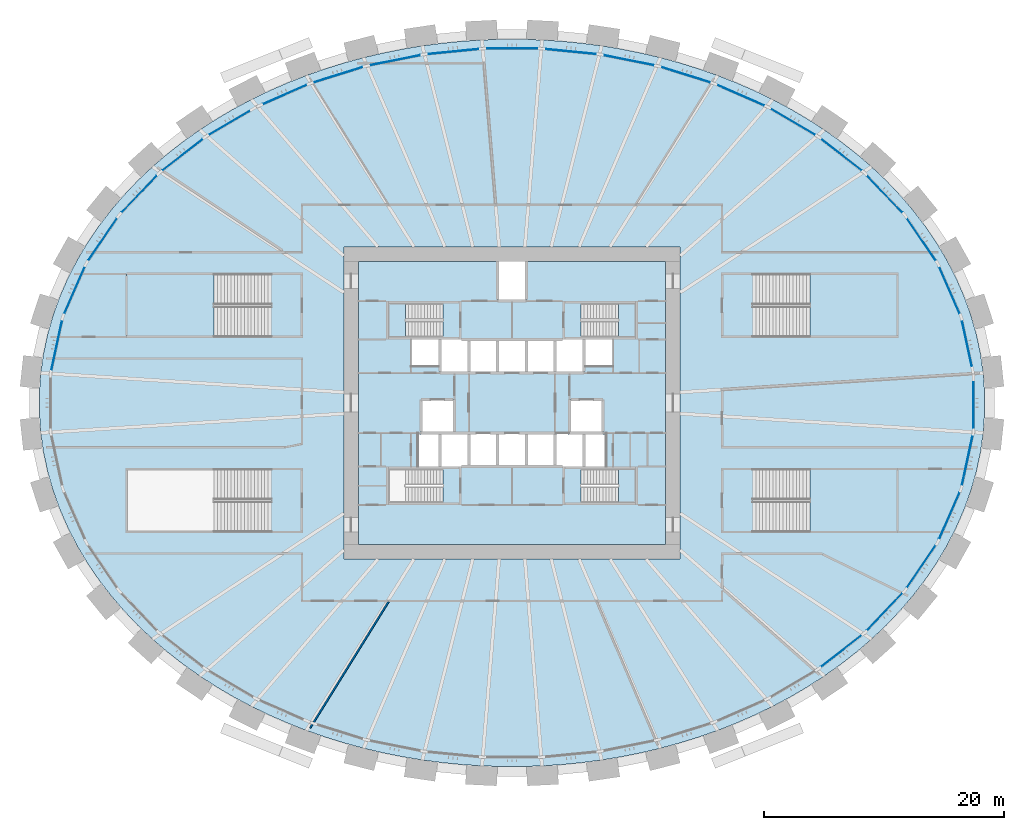
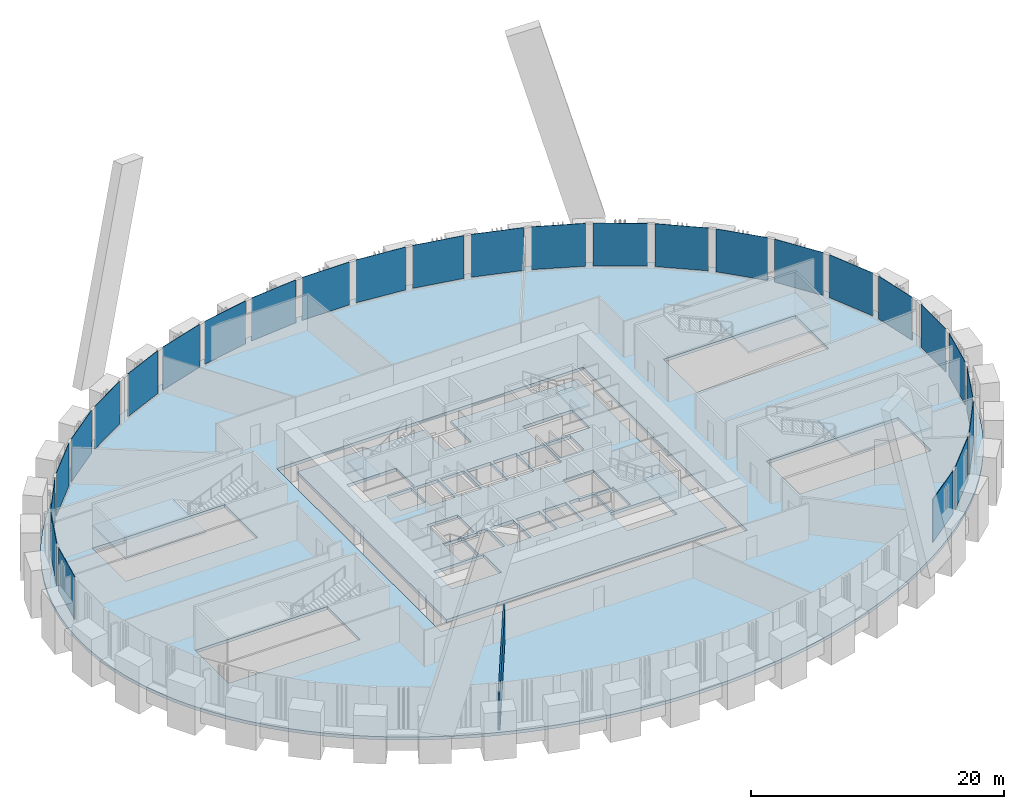
# One storey, part 5 of 21: 27 plates, 8 slabs, 1 wall, 9 elements without a shape of their own.
"""IFC4 building model written with IfcOpenShell, lengths in metres."""

from ifc_helpers import new_model, si_unit, direction, frame, frame_2d, origin, origin_2d, place, context, subcontext, project, spatial, polyline, rectangle, outline, extrude, source, transform, mapped, material, layer, layer_set, type_object, element, aggregate, save


model = new_model("IFC4")

# Units and contexts
model_context = context("Model", 3, precision=1e-05, world=origin(), true_north=direction((0.0, 1.0)))
body_context = subcontext(model_context, "Body", "Model", "MODEL_VIEW")
ifc_project = project(units=[si_unit("LENGTHUNIT", "METRE"), si_unit("AREAUNIT", "SQUARE_METRE"), si_unit("VOLUMEUNIT", "CUBIC_METRE"), si_unit("PLANEANGLEUNIT", "RADIAN"), si_unit("MASSUNIT", "GRAM", prefix="KILO")], contexts=[model_context])

# Site, building, storey
site_placement = place(None, origin())
site = spatial("IfcSite", under=ifc_project, at=site_placement, CompositionType="ELEMENT")
building_placement = place(site_placement, origin())
building = spatial("IfcBuilding", under=site, at=building_placement, Name="Embergate Tower", CompositionType="ELEMENT")
storey_placement = place(building_placement, frame((0.0, 0.0, 33.5)))
storey = spatial("IfcBuildingStorey", under=building, at=storey_placement, Name="L04", CompositionType="ELEMENT", Elevation=33.5)

# Slab
ifc_material_1 = material(Name="Concrete C50", Category="concrete")
ifc_layer_1 = layer(ifc_material_1, 0.300048828125)
ifc_layer_set_1 = layer_set([ifc_layer_1], Name="Concrete C50")
slab_type_1 = type_object("IfcSlabType", Name="Podium floor slab C50 300", PredefinedType="FLOOR", material=ifc_layer_set_1)
shared_shape_1 = source(origin(), body_context, "Body", "SweptSolid", [
    extrude(outline(polyline([(0.0, 0.0), (1.666015625, 0.0), (3.3310546875, 0.053955078125), (4.99609375, 0.162841796875), (6.654052734375, 0.325927734375), (8.302001953125, 0.54296875), (9.951904296875, 0.81591796875), (11.5859375, 1.143798828125), (13.199951171875, 1.52490234375), (14.81689453125, 1.966796875), (16.407958984375, 2.4619140625), (17.968994140625, 3.010009765625), (19.532958984375, 3.625), (21.05908203125, 4.2919921875), (22.544921875, 5.010986328125), (24.030029296875, 5.803955078125), (25.466064453125, 6.64892578125), (26.85107421875, 7.54296875), (28.22509765625, 8.517822265625), (29.5390625, 9.54296875), (30.787109375, 10.614990234375), (32.011962890625, 11.77490234375), (33.162109375, 12.98095703125), (34.23193359375, 14.227783203125), (35.259033203125, 15.56591796875), (36.196044921875, 16.94287109375), (37.0390625, 18.35595703125), (37.81201171875, 19.850830078125), (38.47998046875, 21.375), (39.04296875, 22.9248046875), (39.508056640625, 24.534912109375), (39.85791015625, 26.162841796875), (40.092041015625, 27.802001953125), (40.2109375, 29.4638671875), (40.2109375, 31.1279296875), (40.092041015625, 32.789794921875), (39.85791015625, 34.428955078125), (39.508056640625, 36.056884765625), (39.04296875, 37.6669921875), (38.47998046875, 39.216796875), (37.81201171875, 40.740966796875), (37.0390625, 42.23583984375), (36.196044921875, 43.64892578125), (35.259033203125, 45.02587890625), (34.23193359375, 46.364013671875), (33.162109375, 47.61083984375), (32.011962890625, 48.81689453125), (30.787109375, 49.976806640625), (29.5390625, 51.048828125), (28.22509765625, 52.073974609375), (26.85107421875, 53.048828125), (25.466064453125, 53.94287109375), (24.030029296875, 54.787841796875), (22.544921875, 55.580810546875), (21.05908203125, 56.2998046875), (19.532958984375, 56.966796875), (17.968994140625, 57.581787109375), (16.407958984375, 58.1298828125), (14.81689453125, 58.625), (13.199951171875, 59.06689453125), (11.5859375, 59.447998046875), (9.951904296875, 59.77587890625), (8.302001953125, 60.048828125), (6.654052734375, 60.265869140625), (4.99609375, 60.428955078125), (3.3310546875, 60.537841796875), (1.666015625, 60.591796875), (0.0, 60.591796875), (-1.6650390625, 60.537841796875), (-3.330078125, 60.428955078125), (-4.988037109375, 60.265869140625), (-6.635986328125, 60.048828125), (-8.285888671875, 59.77587890625), (-9.919921875, 59.447998046875), (-11.533935546875, 59.06689453125), (-13.15087890625, 58.625), (-14.741943359375, 58.1298828125), (-16.302978515625, 57.581787109375), (-17.866943359375, 56.966796875), (-19.39306640625, 56.2998046875), (-20.87890625, 55.580810546875), (-22.364013671875, 54.787841796875), (-23.800048828125, 53.94287109375), (-25.18505859375, 53.048828125), (-26.55908203125, 52.073974609375), (-27.873046875, 51.048828125), (-29.12109375, 49.976806640625), (-30.345947265625, 48.81689453125), (-31.49609375, 47.61083984375), (-32.56591796875, 46.364013671875), (-33.593017578125, 45.02587890625), (-34.530029296875, 43.64892578125), (-35.373046875, 42.23583984375), (-36.14599609375, 40.740966796875), (-36.81396484375, 39.216796875), (-37.376953125, 37.6669921875), (-37.842041015625, 36.056884765625), (-38.19189453125, 34.428955078125), (-38.426025390625, 32.789794921875), (-38.544921875, 31.1279296875), (-38.544921875, 29.4638671875), (-38.426025390625, 27.802001953125), (-38.19189453125, 26.162841796875), (-37.842041015625, 24.534912109375), (-37.376953125, 22.9248046875), (-36.81396484375, 21.375), (-36.14599609375, 19.850830078125), (-35.373046875, 18.35595703125), (-34.530029296875, 16.94287109375), (-33.593017578125, 15.56591796875), (-32.56591796875, 14.227783203125), (-31.49609375, 12.98095703125), (-30.345947265625, 11.77490234375), (-29.12109375, 10.614990234375), (-27.873046875, 9.54296875), (-26.55908203125, 8.517822265625), (-25.18505859375, 7.54296875), (-23.800048828125, 6.64892578125), (-22.364013671875, 5.803955078125), (-20.87890625, 5.010986328125), (-19.39306640625, 4.2919921875), (-17.866943359375, 3.625), (-16.302978515625, 3.010009765625), (-14.741943359375, 2.4619140625), (-13.15087890625, 1.966796875), (-11.533935546875, 1.52490234375), (-9.919921875, 1.143798828125), (-8.285888671875, 0.81591796875), (-6.635986328125, 0.54296875), (-4.988037109375, 0.325927734375), (-3.330078125, 0.162841796875), (-1.6650390625, 0.053955078125), (0.0, 0.0)]), holes=[polyline([(-13.1669921875, 17.2958984375), (-13.1669921875, 43.2958984375), (14.8330078125, 43.2958984375), (14.8330078125, 17.2958984375), (-13.1669921875, 17.2958984375)]), polyline([(-31.287109375, 19.5458984375), (-31.287109375, 24.7958984375), (-19.22705078125, 24.7958984375), (-19.22705078125, 19.5458984375), (-31.287109375, 19.5458984375)]), polyline([(20.89306640625, 19.5458984375), (20.89306640625, 24.7958984375), (32.953125, 24.7958984375), (32.953125, 19.5458984375), (20.89306640625, 19.5458984375)]), polyline([(-31.287109375, 35.7958984375), (-31.287109375, 41.0458984375), (-19.22705078125, 41.0458984375), (-19.22705078125, 35.7958984375), (-31.287109375, 35.7958984375)]), polyline([(20.89306640625, 35.7958984375), (20.89306640625, 41.0458984375), (32.953125, 41.0458984375), (32.953125, 35.7958984375), (20.89306640625, 35.7958984375)])]), origin(), (0.0, 0.0, 1.0), 0.300048828125),
])
slab_1_placement = place(storey_placement, frame((-0.8330078125, -30.2958984375, -0.300048828125)))
element("IfcSlab", 1, at=slab_1_placement, inside=storey, type_object=slab_type_1, Name="SLB-L04-00", PredefinedType="FLOOR", context=body_context, shape_type="MappedRepresentation", body=[
    mapped(shared_shape_1, transform((0.0, 0.0, 0.0))),
])

# Curtain wall, plates
ifc_material_2 = material(Name="Aluminium and glass", Category="aluminium")
curtain_wall_type = type_object("IfcCurtainWallType", Name="Podium base glazing", PredefinedType="NOTDEFINED", material=ifc_material_2)
curtain_wall_1_placement = place(storey_placement, origin())
curtain_wall_1 = element("IfcCurtainWall", 2, at=curtain_wall_1_placement, inside=storey, type_object=curtain_wall_type, Name="Podium base glazing run 1", ObjectType="PODIUM BASE GLAZING", PredefinedType="USERDEFINED")
ifc_material_3 = material(Name="Triple glazing, low-emissivity coating", Category="glass")
ifc_layer_2 = layer(ifc_material_3, 0.0400390625)
ifc_layer_set_2 = layer_set([ifc_layer_2], Name="Triple glazing, low-emissivity coating")
plate_type = type_object("IfcPlateType", Name="Base glazing unit", PredefinedType="CURTAIN_PANEL", material=ifc_layer_set_2)
shared_shape_2 = source(origin(), body_context, "Body", "SweptSolid", [
    extrude(rectangle(XDim=3.949951171875, YDim=0.0400390625, at=origin_2d()), origin(), (0.0, 0.0, 1.0), 4.139892578125),
])
plate_1_placement = place(storey_placement, frame((37.898193359375, 4.94091796875, 0.16015625), z_axis=(0.0, 0.0, 1.0), x_axis=(-0.210400097438, 0.977615363524, 0.0)))
plate_1 = element("IfcPlate", 3, at=plate_1_placement, type_object=plate_type, Name="CW panel 1.1", PredefinedType="CURTAIN_PANEL", context=body_context, shape_type="MappedRepresentation", body=[
    mapped(shared_shape_2, transform((0.0, 0.0, 0.0))),
])
shared_shape_3 = source(origin(), body_context, "Body", "SweptSolid", [
    extrude(rectangle(XDim=4.257568359375, YDim=0.0400390625, at=origin_2d()), origin(), (0.0, 0.0, 1.0), 4.139892578125),
])
plate_2_placement = place(storey_placement, frame((36.444091796875, 9.38916015625, 0.16015625), z_axis=(0.0, 0.0, 1.0), x_axis=(-0.401655297873, 0.915790926844, 0.0)))
plate_2 = element("IfcPlate", 4, at=plate_2_placement, type_object=plate_type, Name="CW panel 2.1", PredefinedType="CURTAIN_PANEL", context=body_context, shape_type="MappedRepresentation", body=[
    mapped(shared_shape_3, transform((0.0, 0.0, 0.0))),
])

# Curtain wall, plate
curtain_wall_2_placement = place(storey_placement, origin())
curtain_wall_2 = element("IfcCurtainWall", 5, at=curtain_wall_2_placement, inside=storey, type_object=curtain_wall_type, Name="Podium base glazing run 2", ObjectType="PODIUM BASE GLAZING", PredefinedType="USERDEFINED")
plate_3_placement = place(storey_placement, frame((-36.444091796875, 9.38916015625, 0.16015625), z_axis=(0.0, 0.0, 1.0), x_axis=(-0.401655297873, -0.915790926844, 0.0)))
plate_3 = element("IfcPlate", 6, at=plate_3_placement, type_object=plate_type, Name="CW panel 5.1", PredefinedType="CURTAIN_PANEL", context=body_context, shape_type="MappedRepresentation", body=[
    mapped(shared_shape_3, transform((0.0, 0.0, 0.0))),
])

curtain_wall_3_placement = place(storey_placement, origin())
curtain_wall_3 = element("IfcCurtainWall", 7, at=curtain_wall_3_placement, inside=storey, type_object=curtain_wall_type, Name="Podium base glazing run 3", ObjectType="PODIUM BASE GLAZING", PredefinedType="USERDEFINED")
plate_4_placement = place(storey_placement, frame((36.444091796875, -9.38916015625, 0.16015625), z_axis=(0.0, 0.0, 1.0), x_axis=(0.401655297873, 0.915790926844, 0.0)))
plate_4 = element("IfcPlate", 8, at=plate_4_placement, type_object=plate_type, Name="CW panel 13.1", PredefinedType="CURTAIN_PANEL", context=body_context, shape_type="MappedRepresentation", body=[
    mapped(shared_shape_3, transform((0.0, 0.0, 0.0))),
])

# Plate
shared_shape_4 = source(origin(), body_context, "Body", "SweptSolid", [
    extrude(rectangle(XDim=4.26708984375, YDim=0.0400390625, at=origin_2d()), origin(), (0.0, 0.0, 1.0), 4.139892578125),
])
plate_5_placement = place(storey_placement, frame((34.10009765625, 13.625732421875, 0.16015625), z_axis=(0.0, 0.0, 1.0), x_axis=(-0.562346071572, 0.826901986809, 0.0)))
plate_5 = element("IfcPlate", 9, at=plate_5_placement, type_object=plate_type, Name="CW panel 3.1", PredefinedType="CURTAIN_PANEL", context=body_context, shape_type="MappedRepresentation", body=[
    mapped(shared_shape_4, transform((0.0, 0.0, 0.0))),
])

plate_6_placement = place(storey_placement, frame((-34.10009765625, 13.625732421875, 0.16015625), z_axis=(0.0, 0.0, 1.0), x_axis=(-0.562346071572, -0.826901986809, 0.0)))
plate_6 = element("IfcPlate", 10, at=plate_6_placement, type_object=plate_type, Name="CW panel 4.1", PredefinedType="CURTAIN_PANEL", context=body_context, shape_type="MappedRepresentation", body=[
    mapped(shared_shape_4, transform((0.0, 0.0, 0.0))),
])

plate_7_placement = place(storey_placement, frame((34.10009765625, -13.625732421875, 0.16015625), z_axis=(0.0, 0.0, 1.0), x_axis=(0.562346071572, 0.826901986809, 0.0)))
plate_7 = element("IfcPlate", 11, at=plate_7_placement, type_object=plate_type, Name="CW panel 12.1", PredefinedType="CURTAIN_PANEL", context=body_context, shape_type="MappedRepresentation", body=[
    mapped(shared_shape_4, transform((0.0, 0.0, 0.0))),
])

shared_shape_5 = source(origin(), body_context, "Body", "SweptSolid", [
    extrude(rectangle(XDim=4.2763671875, YDim=0.0400390625, at=origin_2d()), origin(), (0.0, 0.0, 1.0), 4.139892578125),
])
plate_8_placement = place(storey_placement, frame((31.049072265625, 17.40234375, 0.16015625), z_axis=(0.0, 0.0, 1.0), x_axis=(-0.690137573644, 0.723678194673, 0.0)))
plate_8 = element("IfcPlate", 12, at=plate_8_placement, type_object=plate_type, Name="CW panel 4.1", PredefinedType="CURTAIN_PANEL", context=body_context, shape_type="MappedRepresentation", body=[
    mapped(shared_shape_5, transform((0.0, 0.0, 0.0))),
])

plate_9_placement = place(storey_placement, frame((-31.049072265625, 17.40234375, 0.16015625), z_axis=(0.0, 0.0, 1.0), x_axis=(-0.690137573644, -0.723678194673, 0.0)))
plate_9 = element("IfcPlate", 13, at=plate_9_placement, type_object=plate_type, Name="CW panel 3.1", PredefinedType="CURTAIN_PANEL", context=body_context, shape_type="MappedRepresentation", body=[
    mapped(shared_shape_5, transform((0.0, 0.0, 0.0))),
])

plate_10_placement = place(storey_placement, frame((31.049072265625, -17.40234375, 0.16015625), z_axis=(0.0, 0.0, 1.0), x_axis=(0.690137573644, 0.723678194673, 0.0)))
plate_10 = element("IfcPlate", 14, at=plate_10_placement, type_object=plate_type, Name="CW panel 11.1", PredefinedType="CURTAIN_PANEL", context=body_context, shape_type="MappedRepresentation", body=[
    mapped(shared_shape_5, transform((0.0, 0.0, 0.0))),
])

shared_shape_6 = source(origin(), body_context, "Body", "SweptSolid", [
    extrude(rectangle(XDim=4.2841796875, YDim=0.0400390625, at=origin_2d()), origin(), (0.0, 0.0, 1.0), 4.139892578125),
])
plate_11_placement = place(storey_placement, frame((27.441162109375, 20.66943359375, 0.16015625), z_axis=(0.0, 0.0, 1.0), x_axis=(-0.788322266931, 0.615262548398, 0.0)))
plate_11 = element("IfcPlate", 15, at=plate_11_placement, type_object=plate_type, Name="CW panel 5.1", PredefinedType="CURTAIN_PANEL", context=body_context, shape_type="MappedRepresentation", body=[
    mapped(shared_shape_6, transform((0.0, 0.0, 0.0))),
])

plate_12_placement = place(storey_placement, frame((-27.441162109375, 20.66943359375, 0.16015625), z_axis=(0.0, 0.0, 1.0), x_axis=(-0.788322266931, -0.615262548398, 0.0)))
plate_12 = element("IfcPlate", 16, at=plate_12_placement, type_object=plate_type, Name="CW panel 2.1", PredefinedType="CURTAIN_PANEL", context=body_context, shape_type="MappedRepresentation", body=[
    mapped(shared_shape_6, transform((0.0, 0.0, 0.0))),
])

plate_13_placement = place(storey_placement, frame((27.441162109375, -20.66943359375, 0.16015625), z_axis=(0.0, 0.0, 1.0), x_axis=(0.788322266931, 0.615262548398, 0.0)))
plate_13 = element("IfcPlate", 17, at=plate_13_placement, type_object=plate_type, Name="CW panel 10.1", PredefinedType="CURTAIN_PANEL", context=body_context, shape_type="MappedRepresentation", body=[
    mapped(shared_shape_6, transform((0.0, 0.0, 0.0))),
])

shared_shape_7 = source(origin(), body_context, "Body", "SweptSolid", [
    extrude(rectangle(XDim=4.290771484375, YDim=0.0400390625, at=origin_2d()), origin(), (0.0, 0.0, 1.0), 4.139892578125),
])
plate_14_placement = place(storey_placement, frame((23.407958984375, 23.411376953125, 0.16015625), z_axis=(0.0, 0.0, 1.0), x_axis=(-0.862054936934, 0.506814843614, 0.0)))
plate_14 = element("IfcPlate", 18, at=plate_14_placement, type_object=plate_type, Name="CW panel 6.1", PredefinedType="CURTAIN_PANEL", context=body_context, shape_type="MappedRepresentation", body=[
    mapped(shared_shape_7, transform((0.0, 0.0, 0.0))),
])

shared_shape_8 = source(origin(), body_context, "Body", "SweptSolid", [
    extrude(rectangle(XDim=4.295654296875, YDim=0.0400390625, at=origin_2d()), origin(), (0.0, 0.0, 1.0), 4.139892578125),
])
plate_15_placement = place(storey_placement, frame((19.05712890625, 25.63134765625, 0.16015625), z_axis=(0.0, 0.0, 1.0), x_axis=(-0.916236910986, 0.400636896638, 0.0)))
plate_15 = element("IfcPlate", 19, at=plate_15_placement, type_object=plate_type, Name="CW panel 7.1", PredefinedType="CURTAIN_PANEL", context=body_context, shape_type="MappedRepresentation", body=[
    mapped(shared_shape_8, transform((0.0, 0.0, 0.0))),
])

shared_shape_9 = source(origin(), body_context, "Body", "SweptSolid", [
    extrude(rectangle(XDim=4.299072265625, YDim=0.0400390625, at=origin_2d()), origin(), (0.0, 0.0, 1.0), 4.139892578125),
])
plate_16_placement = place(storey_placement, frame((14.4755859375, 27.34033203125, 0.16015625), z_axis=(0.0, 0.0, 1.0), x_axis=(-0.954772736126, 0.297336547283, 0.0)))
plate_16 = element("IfcPlate", 20, at=plate_16_placement, type_object=plate_type, Name="CW panel 8.1", PredefinedType="CURTAIN_PANEL", context=body_context, shape_type="MappedRepresentation", body=[
    mapped(shared_shape_9, transform((0.0, 0.0, 0.0))),
])

plate_17_placement = place(storey_placement, frame((-14.4755859375, 27.34033203125, 0.16015625), z_axis=(0.0, 0.0, 1.0), x_axis=(-0.954772736126, -0.297336547283, 0.0)))
plate_17 = element("IfcPlate", 21, at=plate_17_placement, type_object=plate_type, Name="CW panel 14.1", PredefinedType="CURTAIN_PANEL", context=body_context, shape_type="MappedRepresentation", body=[
    mapped(shared_shape_9, transform((0.0, 0.0, 0.0))),
])

shared_shape_10 = source(origin(), body_context, "Body", "SweptSolid", [
    extrude(rectangle(XDim=4.301513671875, YDim=0.0400390625, at=origin_2d()), origin(), (0.0, 0.0, 1.0), 4.139892578125),
])
plate_18_placement = place(storey_placement, frame((9.73388671875, 28.550537109375, 0.16015625), z_axis=(0.0, 0.0, 1.0), x_axis=(-0.980476250608, 0.196637539636, 0.0)))
plate_18 = element("IfcPlate", 22, at=plate_18_placement, type_object=plate_type, Name="CW panel 9.1", PredefinedType="CURTAIN_PANEL", context=body_context, shape_type="MappedRepresentation", body=[
    mapped(shared_shape_10, transform((0.0, 0.0, 0.0))),
])

plate_19_placement = place(storey_placement, frame((-9.73388671875, 28.550537109375, 0.16015625), z_axis=(0.0, 0.0, 1.0), x_axis=(-0.980476250608, -0.196637539636, 0.0)))
plate_19 = element("IfcPlate", 23, at=plate_19_placement, type_object=plate_type, Name="CW panel 13.1", PredefinedType="CURTAIN_PANEL", context=body_context, shape_type="MappedRepresentation", body=[
    mapped(shared_shape_10, transform((0.0, 0.0, 0.0))),
])

shared_shape_11 = source(origin(), body_context, "Body", "SweptSolid", [
    extrude(rectangle(XDim=4.302978515625, YDim=0.0400390625, at=origin_2d()), origin(), (0.0, 0.0, 1.0), 4.139892578125),
])
plate_20_placement = place(storey_placement, frame((4.891357421875, 29.272216796875, 0.16015625), z_axis=(0.0, 0.0, 1.0), x_axis=(-0.995203355531, 0.09782781373, 0.0)))
plate_20 = element("IfcPlate", 24, at=plate_20_placement, type_object=plate_type, Name="CW panel 10.1", PredefinedType="CURTAIN_PANEL", context=body_context, shape_type="MappedRepresentation", body=[
    mapped(shared_shape_11, transform((0.0, 0.0, 0.0))),
])

plate_21_placement = place(storey_placement, frame((-4.891357421875, 29.272216796875, 0.16015625), z_axis=(0.0, 0.0, 1.0), x_axis=(-0.995203355531, -0.09782781373, 0.0)))
plate_21 = element("IfcPlate", 25, at=plate_21_placement, type_object=plate_type, Name="CW panel 12.1", PredefinedType="CURTAIN_PANEL", context=body_context, shape_type="MappedRepresentation", body=[
    mapped(shared_shape_11, transform((0.0, 0.0, 0.0))),
])

shared_shape_12 = source(origin(), body_context, "Body", "SweptSolid", [
    extrude(rectangle(XDim=4.30322265625, YDim=0.0400390625, at=origin_2d()), origin(), (0.0, 0.0, 1.0), 4.139892578125),
])
plate_22_placement = place(storey_placement, frame((0.0, 29.51220703125, 0.16015625), z_axis=(0.0, 0.0, 1.0), x_axis=(-1.0, 0.0, 0.0)))
plate_22 = element("IfcPlate", 26, at=plate_22_placement, type_object=plate_type, Name="CW panel 11.1", PredefinedType="CURTAIN_PANEL", context=body_context, shape_type="MappedRepresentation", body=[
    mapped(shared_shape_12, transform((0.0, 0.0, 0.0))),
])

shared_shape_13 = source(origin(), body_context, "Body", "SweptSolid", [
    extrude(rectangle(XDim=3.99560546875, YDim=0.0400390625, at=origin_2d()), origin(), (0.0, 0.0, 1.0), 4.139892578125),
])
plate_23_placement = place(storey_placement, frame((-18.919677734375, 25.69140625, 0.16015625), z_axis=(0.0, 0.0, 1.0), x_axis=(-0.916236910986, -0.400636896638, 0.0)))
plate_23 = element("IfcPlate", 27, at=plate_23_placement, type_object=plate_type, Name="CW panel 15.1", PredefinedType="CURTAIN_PANEL", context=body_context, shape_type="MappedRepresentation", body=[
    mapped(shared_shape_13, transform((0.0, 0.0, 0.0))),
])

aggregate(curtain_wall_1, [plate_1, plate_2, plate_5, plate_8, plate_11, plate_14, plate_15, plate_16, plate_18, plate_20, plate_22, plate_21, plate_19, plate_17, plate_23])

shared_shape_14 = source(origin(), body_context, "Body", "SweptSolid", [
    extrude(rectangle(XDim=3.99072265625, YDim=0.0400390625, at=origin_2d()), origin(), (0.0, 0.0, 1.0), 4.139892578125),
])
plate_24_placement = place(storey_placement, frame((-23.537353515625, 23.335205078125, 0.16015625), z_axis=(0.0, 0.0, 1.0), x_axis=(-0.862054936934, -0.506814843614, 0.0)))
plate_24 = element("IfcPlate", 28, at=plate_24_placement, type_object=plate_type, Name="CW panel 1.1", PredefinedType="CURTAIN_PANEL", context=body_context, shape_type="MappedRepresentation", body=[
    mapped(shared_shape_14, transform((0.0, 0.0, 0.0))),
])

shared_shape_15 = source(origin(), body_context, "Body", "SweptSolid", [
    extrude(rectangle(XDim=4.25, YDim=0.0400390625, at=origin_2d()), origin(), (0.0, 0.0, 1.0), 4.139892578125),
])
plate_25_placement = place(storey_placement, frame((-37.929931640625, 4.794189453125, 0.16015625), z_axis=(0.0, 0.0, 1.0), x_axis=(-0.210400097438, -0.977615363524, 0.0)))
plate_25 = element("IfcPlate", 29, at=plate_25_placement, type_object=plate_type, Name="CW panel 6.1", PredefinedType="CURTAIN_PANEL", context=body_context, shape_type="MappedRepresentation", body=[
    mapped(shared_shape_15, transform((0.0, 0.0, 0.0))),
])

aggregate(curtain_wall_2, [plate_24, plate_12, plate_9, plate_6, plate_3, plate_25])

plate_26_placement = place(storey_placement, frame((37.929931640625, -4.794189453125, 0.16015625), z_axis=(0.0, 0.0, 1.0), x_axis=(0.210400097438, 0.977615363524, 0.0)))
plate_26 = element("IfcPlate", 30, at=plate_26_placement, type_object=plate_type, Name="CW panel 14.1", PredefinedType="CURTAIN_PANEL", context=body_context, shape_type="MappedRepresentation", body=[
    mapped(shared_shape_15, transform((0.0, 0.0, 0.0))),
])

shared_shape_16 = source(origin(), body_context, "Body", "SweptSolid", [
    extrude(rectangle(XDim=3.947021484375, YDim=0.0400390625, at=origin_2d()), origin(), (0.0, 0.0, 1.0), 4.139892578125),
])
plate_27_placement = place(storey_placement, frame((38.440185546875, -0.14990234375, 0.16015625), z_axis=(0.0, 0.0, 1.0), x_axis=(0.0, 1.0, 0.0)))
plate_27 = element("IfcPlate", 31, at=plate_27_placement, type_object=plate_type, Name="CW panel 15.1", PredefinedType="CURTAIN_PANEL", context=body_context, shape_type="MappedRepresentation", body=[
    mapped(shared_shape_16, transform((0.0, 0.0, 0.0))),
])

aggregate(curtain_wall_3, [plate_13, plate_10, plate_7, plate_4, plate_26, plate_27])

# Stair, slab
ifc_material_4 = material(Name="Exit stair")
stair_type_1 = type_object("IfcStairType", Name="Exit stair", PredefinedType="HALF_TURN_STAIR", material=ifc_material_4)
stair_1_placement = place(storey_placement, origin())
stair_1 = element("IfcStair", 32, at=stair_1_placement, inside=storey, type_object=stair_type_1, Name="L04 Exit stair 1", PredefinedType="HALF_TURN_STAIR")
ifc_material_5 = material(Name="Concrete C40", Category="concrete")
ifc_layer_3 = layer(ifc_material_5, 0.199951171875)
ifc_layer_set_3 = layer_set([ifc_layer_3], Name="Concrete C40")
slab_type_2 = type_object("IfcSlabType", Name="Stair landing reinforced concrete", PredefinedType="LANDING", material=ifc_layer_set_3)
shared_shape_17 = source(origin(), body_context, "Body", "SweptSolid", [
    extrude(outline(polyline([(0.0, 0.0), (1.429931640625, 0.0), (1.429931640625, 2.800048828125), (0.0, 2.800048828125), (0.0, 0.0)])), origin(), (0.0, 0.0, 1.0), 0.199951171875),
])
slab_2_placement = place(storey_placement, frame((-10.300048828125, 5.5, 2.050048828125)))
slab_2 = element("IfcSlab", 33, at=slab_2_placement, type_object=slab_type_2, Name="ST1 landing 1", PredefinedType="LANDING", context=body_context, shape_type="MappedRepresentation", body=[
    mapped(shared_shape_17, transform((0.0, 0.0, 0.0))),
])
aggregate(stair_1, [slab_2])

stair_2_placement = place(storey_placement, origin())
stair_2 = element("IfcStair", 34, at=stair_2_placement, inside=storey, type_object=stair_type_1, Name="L04 Exit stair 2", PredefinedType="HALF_TURN_STAIR")
slab_3_placement = place(storey_placement, frame((8.8701171875, 5.5, 2.050048828125)))
slab_3 = element("IfcSlab", 35, at=slab_3_placement, type_object=slab_type_2, Name="ST2 landing 1", PredefinedType="LANDING", context=body_context, shape_type="MappedRepresentation", body=[
    mapped(shared_shape_17, transform((0.0, 0.0, 0.0))),
])
aggregate(stair_2, [slab_3])

stair_3_placement = place(storey_placement, origin())
stair_3 = element("IfcStair", 36, at=stair_3_placement, inside=storey, type_object=stair_type_1, Name="L04 Exit stair 4", PredefinedType="HALF_TURN_STAIR")
slab_4_placement = place(storey_placement, frame((8.8701171875, -8.300048828125, 2.050048828125)))
slab_4 = element("IfcSlab", 37, at=slab_4_placement, type_object=slab_type_2, Name="ST4 landing 1", PredefinedType="LANDING", context=body_context, shape_type="MappedRepresentation", body=[
    mapped(shared_shape_17, transform((0.0, 0.0, 0.0))),
])
aggregate(stair_3, [slab_4])

# Slab
ifc_layer_4 = layer(ifc_material_5, 0.300048828125)
ifc_layer_set_4 = layer_set([ifc_layer_4], Name="Concrete C40")
slab_type_3 = type_object("IfcSlabType", Name="Core floor slab 300 reinforced concrete", PredefinedType="FLOOR", material=ifc_layer_set_4)
shared_shape_18 = source(origin(), body_context, "Body", "SweptSolid", [
    extrude(outline(polyline([(0.0, 0.0), (25.60009765625, 0.0), (25.60009765625, 23.60009765625), (14.0, 23.60009765625), (14.0, 20.300048828125), (11.60009765625, 20.300048828125), (11.60009765625, 23.60009765625), (0.0, 23.60009765625), (0.0, 0.0)]), holes=[polyline([(2.5, 3.5), (2.5, 6.300048828125), (7.0400390625, 6.300048828125), (7.0400390625, 3.5), (2.5, 3.5)]), polyline([(18.56005859375, 3.5), (18.56005859375, 6.300048828125), (23.10009765625, 6.300048828125), (23.10009765625, 3.5), (18.56005859375, 3.5)]), polyline([(5.0, 6.5), (5.0, 9.300048828125), (5.074951171875, 9.300048828125), (5.074951171875, 9.175048828125), (6.675048828125, 9.175048828125), (6.675048828125, 6.5), (5.0, 6.5)]), polyline([(6.800048828125, 6.5), (6.800048828125, 9.175048828125), (8.125, 9.175048828125), (8.125, 9.300048828125), (9.074951171875, 9.300048828125), (9.074951171875, 6.5), (6.800048828125, 6.5)]), polyline([(9.324951171875, 6.5), (9.324951171875, 9.300048828125), (11.47509765625, 9.300048828125), (11.47509765625, 6.5), (9.324951171875, 6.5)]), polyline([(11.72509765625, 6.5), (11.72509765625, 9.300048828125), (13.875, 9.300048828125), (13.875, 6.5), (11.72509765625, 6.5)]), polyline([(14.125, 6.5), (14.125, 9.300048828125), (16.275146484375, 9.300048828125), (16.275146484375, 6.5), (14.125, 6.5)]), polyline([(16.525146484375, 6.5), (16.525146484375, 9.300048828125), (17.47509765625, 9.300048828125), (17.47509765625, 9.175048828125), (18.800048828125, 9.175048828125), (18.800048828125, 6.5), (16.525146484375, 6.5)]), polyline([(18.925048828125, 6.5), (18.925048828125, 9.175048828125), (20.525146484375, 9.175048828125), (20.525146484375, 9.300048828125), (20.60009765625, 9.300048828125), (20.60009765625, 6.5), (18.925048828125, 6.5)]), polyline([(5.199951171875, 9.300048828125), (5.199951171875, 12.10009765625), (8.0, 12.10009765625), (8.0, 9.425048828125), (6.675048828125, 9.425048828125), (6.675048828125, 9.300048828125), (5.199951171875, 9.300048828125)]), polyline([(18.925048828125, 9.300048828125), (18.925048828125, 9.425048828125), (17.60009765625, 9.425048828125), (17.60009765625, 12.10009765625), (20.400146484375, 12.10009765625), (20.400146484375, 9.300048828125), (18.925048828125, 9.300048828125)]), polyline([(6.800048828125, 14.300048828125), (6.800048828125, 17.10009765625), (9.074951171875, 17.10009765625), (9.074951171875, 14.300048828125), (6.800048828125, 14.300048828125)]), polyline([(9.324951171875, 14.300048828125), (9.324951171875, 17.10009765625), (11.47509765625, 17.10009765625), (11.47509765625, 14.300048828125), (9.324951171875, 14.300048828125)]), polyline([(11.72509765625, 14.300048828125), (11.72509765625, 17.10009765625), (13.875, 17.10009765625), (13.875, 14.300048828125), (11.72509765625, 14.300048828125)]), polyline([(14.125, 14.300048828125), (14.125, 17.10009765625), (16.275146484375, 17.10009765625), (16.275146484375, 14.300048828125), (14.125, 14.300048828125)]), polyline([(16.525146484375, 14.300048828125), (16.525146484375, 17.10009765625), (18.800048828125, 17.10009765625), (18.800048828125, 14.300048828125), (16.525146484375, 14.300048828125)]), polyline([(4.400146484375, 14.900146484375), (4.400146484375, 17.10009765625), (6.675048828125, 17.10009765625), (6.675048828125, 14.900146484375), (4.400146484375, 14.900146484375)]), polyline([(18.925048828125, 14.900146484375), (18.925048828125, 17.10009765625), (21.199951171875, 17.10009765625), (21.199951171875, 14.900146484375), (18.925048828125, 14.900146484375)]), polyline([(2.5, 17.300048828125), (2.5, 20.10009765625), (7.0400390625, 20.10009765625), (7.0400390625, 17.300048828125), (2.5, 17.300048828125)]), polyline([(18.56005859375, 17.300048828125), (18.56005859375, 20.10009765625), (23.10009765625, 20.10009765625), (23.10009765625, 17.300048828125), (18.56005859375, 17.300048828125)])]), origin(), (0.0, 0.0, 1.0), 0.300048828125),
])
slab_5_placement = place(storey_placement, frame((-12.800048828125, -11.800048828125, -0.300048828125)))
element("IfcSlab", 38, at=slab_5_placement, inside=storey, type_object=slab_type_3, Name="Core floor slab", PredefinedType="FLOOR", context=body_context, shape_type="MappedRepresentation", body=[
    mapped(shared_shape_18, transform((0.0, 0.0, 0.0))),
])

# Stair, slab
stair_type_2 = type_object("IfcStairType", Name="Podium exit stair RC", PredefinedType="HALF_TURN_STAIR", material=ifc_material_5)
stair_4_placement = place(storey_placement, origin())
stair_4 = element("IfcStair", 39, at=stair_4_placement, inside=storey, type_object=stair_type_2, Name="L04 Podium exit stair 1", PredefinedType="HALF_TURN_STAIR")
ifc_layer_5 = layer(ifc_material_5, 0.199951171875)
ifc_layer_set_5 = layer_set([ifc_layer_5], Name="Concrete C40")
slab_type_4 = type_object("IfcSlabType", Name="Podium exit stair landing RC", PredefinedType="LANDING", material=ifc_layer_set_5)
shared_shape_19 = source(origin(), body_context, "Body", "SweptSolid", [
    extrude(outline(polyline([(0.0, 0.0), (7.31005859375, 0.0), (7.31005859375, 5.25), (0.0, 5.25), (0.0, 0.0)])), origin(), (0.0, 0.0, 1.0), 0.199951171875),
])
slab_6_placement = place(storey_placement, frame((24.81005859375, 5.5, 2.050048828125)))
slab_6 = element("IfcSlab", 40, at=slab_6_placement, type_object=slab_type_4, Name="P1 landing 1", PredefinedType="LANDING", context=body_context, shape_type="MappedRepresentation", body=[
    mapped(shared_shape_19, transform((0.0, 0.0, 0.0))),
])
aggregate(stair_4, [slab_6])

stair_5_placement = place(storey_placement, origin())
stair_5 = element("IfcStair", 41, at=stair_5_placement, inside=storey, type_object=stair_type_2, Name="L04 Podium exit stair 2", PredefinedType="HALF_TURN_STAIR")
slab_7_placement = place(storey_placement, frame((24.81005859375, -10.75, 2.050048828125)))
slab_7 = element("IfcSlab", 42, at=slab_7_placement, type_object=slab_type_4, Name="P2 landing 1", PredefinedType="LANDING", context=body_context, shape_type="MappedRepresentation", body=[
    mapped(shared_shape_19, transform((0.0, 0.0, 0.0))),
])
aggregate(stair_5, [slab_7])

stair_6_placement = place(storey_placement, origin())
stair_6 = element("IfcStair", 43, at=stair_6_placement, inside=storey, type_object=stair_type_2, Name="L04 Podium exit stair 3", PredefinedType="HALF_TURN_STAIR")
slab_8_placement = place(storey_placement, frame((-32.1201171875, 5.5, 2.050048828125)))
slab_8 = element("IfcSlab", 44, at=slab_8_placement, type_object=slab_type_4, Name="P3 landing 1", PredefinedType="LANDING", context=body_context, shape_type="MappedRepresentation", body=[
    mapped(shared_shape_19, transform((0.0, 0.0, 0.0))),
])
aggregate(stair_6, [slab_8])

# Wall
ifc_material_6 = material(Name="Plasterboard on steel stud", Category="steel")
ifc_layer_6 = layer(ifc_material_6, 0.14990234375)
ifc_layer_set_6 = layer_set([ifc_layer_6], Name="Plasterboard on steel stud")
wall_type = type_object("IfcWallType", Name="Partition wall 150 board", PredefinedType="PARTITIONING", material=ifc_layer_set_6)
shared_shape_20 = source(origin(), body_context, "Body", "SweptSolid", [
    extrude(rectangle(XDim=12.37890625, YDim=0.14990234375, at=frame_2d((6.189453125, 0.0))), origin(), (0.0, 0.0, 1.0), 3.5),
])
wall_placement = place(storey_placement, frame((-10.2890625, -16.56396484375, 0.0), z_axis=(0.0, 0.0, 1.0), x_axis=(-0.527674576674, -0.849446608759, 0.0)))
element("IfcWall", 45, at=wall_placement, inside=storey, type_object=wall_type, Name="Partition 023", PredefinedType="PARTITIONING", context=body_context, shape_type="MappedRepresentation", body=[
    mapped(shared_shape_20, transform((0.0, 0.0, 0.0))),
])

save(model, "model.ifc")
